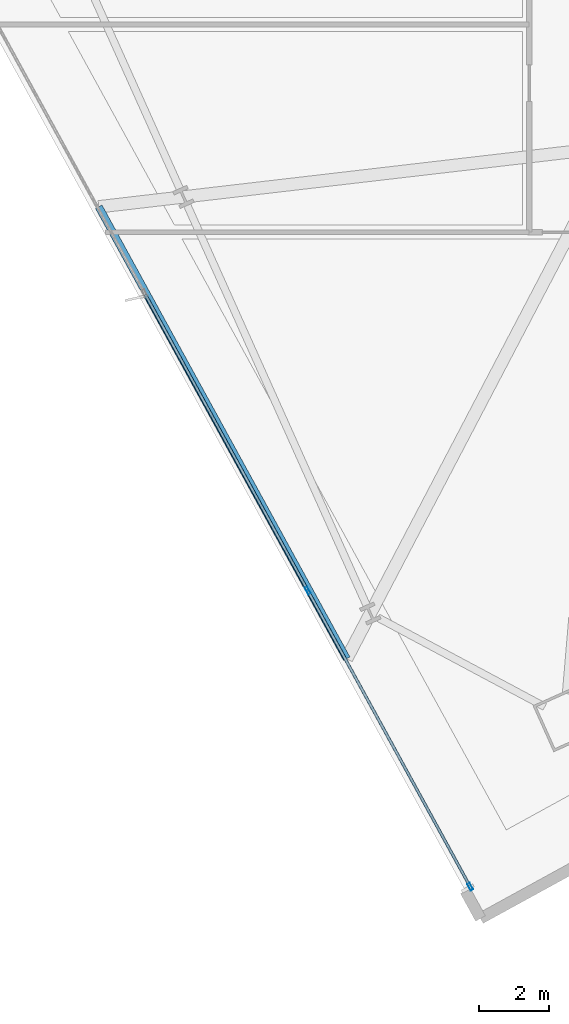
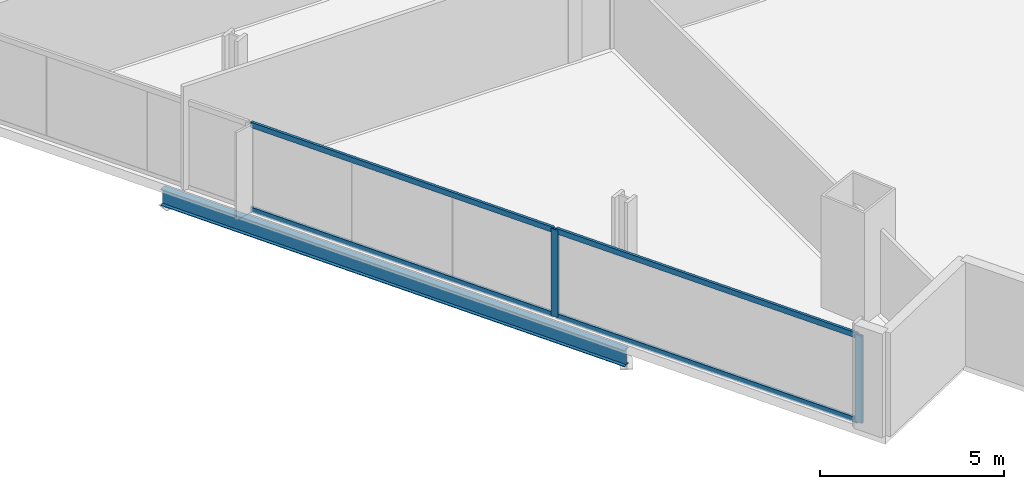
# One storey, part 2 of 33: 6 members, 1 beam, 1 element without a shape of its own.
"""IFC4 building model written with IfcOpenShell, lengths in metres."""

from ifc_helpers import new_model, si_unit, direction, frame, origin, origin_2d, place, context, subcontext, project, spatial, hollow_rectangle, i_section, extrude, material, material_profile, profile_set, type_object, element, aggregate, save


model = new_model("IFC4")

# Units and contexts
model_context = context("Model", 3, precision=1e-05, world=origin(), true_north=direction((0.0, 1.0)))
body_context = subcontext(model_context, "Body", "Model", "MODEL_VIEW")
ifc_project = project(units=[si_unit("LENGTHUNIT", "METRE"), si_unit("AREAUNIT", "SQUARE_METRE"), si_unit("VOLUMEUNIT", "CUBIC_METRE"), si_unit("PLANEANGLEUNIT", "RADIAN"), si_unit("MASSUNIT", "GRAM", prefix="KILO")], contexts=[model_context])

# Site, building, storey
site_placement = place(None, origin())
site = spatial("IfcSite", under=ifc_project, at=site_placement, CompositionType="ELEMENT")
building_placement = place(site_placement, origin())
building = spatial("IfcBuilding", under=site, at=building_placement, Name="Haldenkirk Collegiate Tower", CompositionType="ELEMENT")
storey_placement = place(building_placement, frame((0.0, 0.0, 124.199951171875)))
storey = spatial("IfcBuildingStorey", under=building, at=storey_placement, Name="L30", CompositionType="ELEMENT", Elevation=124.199951171875)

# Beam
ifc_material_1 = material(Name="Steel ASTM A992 Grade 50", Category="steel")
ifc_material_profile_1 = material_profile(ifc_material_1, i_section(OverallWidth=0.2119140625, OverallDepth=0.5439453125, WebThickness=0.01318359375, FlangeThickness=0.021240234375, at=origin_2d()), Name="W21X83")
ifc_profile_set_1 = profile_set([ifc_material_profile_1], Name="Steel ASTM A992 Grade 50")
beam_type = type_object("IfcBeamType", Name="BM-SPANDREL-W21X83", PredefinedType="SPANDREL", material=ifc_profile_set_1)
beam_placement = place(storey_placement, frame((12.214111328125, 16.278076171875, -0.572021484375), z_axis=(0.480969921397, -0.876737095549, 0.0), x_axis=(0.876737095549, 0.480969921397, 0.0)))
element("IfcBeam", 1, at=beam_placement, inside=storey, type_object=beam_type, Name="L30 outer facade edge beam 4", PredefinedType="SPANDREL", context=body_context, shape_type="SweptSolid", body=[
    extrude(i_section(OverallWidth=0.2119140625, OverallDepth=0.5439453125, WebThickness=0.01318359375, FlangeThickness=0.021240234375, at=origin_2d()), origin(), (0.0, 0.0, 1.0), 14.771240234375),
])

# Curtain wall, members
ifc_material_2 = material(Name="Anodised architectural bronze aluminium", Category="aluminium")
curtain_wall_type = type_object("IfcCurtainWallType", Name="CW-SYS1-CONVEX-LOW", PredefinedType="USERDEFINED", material=ifc_material_2)
curtain_wall_placement = place(storey_placement, origin())
curtain_wall = element("IfcCurtainWall", 2, at=curtain_wall_placement, inside=storey, type_object=curtain_wall_type, Name="L30 Lower tower convex bronze-framed unitised curtain wall", ObjectType="UNITISED CURTAIN WALL", PredefinedType="USERDEFINED")
ifc_material_profile_2 = material_profile(ifc_material_2, hollow_rectangle(XDim=0.080078125, YDim=0.219970703125, WallThickness=0.0048828125, at=origin_2d()), Name="CW-MUL-1A")
ifc_profile_set_2 = profile_set([ifc_material_profile_2], Name="Anodised architectural bronze aluminium")
member_type_1 = type_object("IfcMemberType", Name="CW-MUL-1A", PredefinedType="MULLION", material=ifc_profile_set_2)
member_1_placement = place(storey_placement, frame((22.85791015625, -3.20654296875, 0.0), z_axis=(0.0, 0.0, 1.0), x_axis=(-0.876726858964, -0.480988580708, 0.0)))
member_1 = element("IfcMember", 3, at=member_1_placement, type_object=member_type_1, Name="CW-1A mullion 1", PredefinedType="MULLION", context=body_context, shape_type="SweptSolid", body=[
    extrude(hollow_rectangle(XDim=0.080078125, YDim=0.219970703125, WallThickness=0.0048828125, at=origin_2d()), origin(), (0.0, 0.0, 1.0), 2.901123046875),
])
member_2_placement = place(storey_placement, frame((18.20263671875, 5.279052734375, 0.0), z_axis=(0.0, 0.0, 1.0), x_axis=(-0.876726858964, -0.480988580708, 0.0)))
member_2 = element("IfcMember", 4, at=member_2_placement, type_object=member_type_1, Name="CW-1A mullion 2", PredefinedType="MULLION", context=body_context, shape_type="SweptSolid", body=[
    extrude(hollow_rectangle(XDim=0.080078125, YDim=0.219970703125, WallThickness=0.0048828125, at=origin_2d()), origin(), (0.0, 0.0, 1.0), 2.901123046875),
])
ifc_material_profile_3 = material_profile(ifc_material_2, hollow_rectangle(XDim=0.080078125, YDim=0.179931640625, WallThickness=0.0048828125, at=origin_2d()), Name="CW-TRN-1A")
ifc_profile_set_3 = profile_set([ifc_material_profile_3], Name="Anodised architectural bronze aluminium")
member_type_2 = type_object("IfcMemberType", Name="CW-TRN-1A", PredefinedType="USERDEFINED", material=ifc_profile_set_3)
member_3_placement = place(storey_placement, frame((22.838623046875, -3.17138671875, 0.0400390625), z_axis=(-0.480982102917, 0.876730412769, 0.0), x_axis=(-0.876730412769, -0.480982102917, 0.0)))
member_3 = element("IfcMember", 5, at=member_3_placement, type_object=member_type_2, Name="CW-1A transom 1.1", ObjectType="TRANSOM", PredefinedType="USERDEFINED", context=body_context, shape_type="SweptSolid", body=[
    extrude(hollow_rectangle(XDim=0.080078125, YDim=0.179931640625, WallThickness=0.0048828125, at=origin_2d()), origin(), (0.0, 0.0, 1.0), 9.598388671875),
])
member_4_placement = place(storey_placement, frame((22.838623046875, -3.17138671875, 2.861083984375), z_axis=(-0.480982102917, 0.876730412769, 0.0), x_axis=(-0.876730412769, -0.480982102917, 0.0)))
member_4 = element("IfcMember", 6, at=member_4_placement, type_object=member_type_2, Name="CW-1A transom 1.2", ObjectType="TRANSOM", PredefinedType="USERDEFINED", context=body_context, shape_type="SweptSolid", body=[
    extrude(hollow_rectangle(XDim=0.080078125, YDim=0.179931640625, WallThickness=0.0048828125, at=origin_2d()), origin(), (0.0, 0.0, 1.0), 9.598388671875),
])
member_5_placement = place(storey_placement, frame((18.183349609375, 5.314208984375, 0.0400390625), z_axis=(-0.481001578462, 0.87671972803, 0.0), x_axis=(-0.87671972803, -0.481001578462, 0.0)))
member_5 = element("IfcMember", 7, at=member_5_placement, type_object=member_type_2, Name="CW-1A transom 2.1", ObjectType="TRANSOM", PredefinedType="USERDEFINED", context=body_context, shape_type="SweptSolid", body=[
    extrude(hollow_rectangle(XDim=0.080078125, YDim=0.179931640625, WallThickness=0.0048828125, at=origin_2d()), origin(), (0.0, 0.0, 1.0), 9.638671875),
])
member_6_placement = place(storey_placement, frame((18.183349609375, 5.314208984375, 2.861083984375), z_axis=(-0.481001578462, 0.87671972803, 0.0), x_axis=(-0.87671972803, -0.481001578462, 0.0)))
member_6 = element("IfcMember", 8, at=member_6_placement, type_object=member_type_2, Name="CW-1A transom 2.2", ObjectType="TRANSOM", PredefinedType="USERDEFINED", context=body_context, shape_type="SweptSolid", body=[
    extrude(hollow_rectangle(XDim=0.080078125, YDim=0.179931640625, WallThickness=0.0048828125, at=origin_2d()), origin(), (0.0, 0.0, 1.0), 9.638671875),
])
aggregate(curtain_wall, [member_1, member_2, member_3, member_4, member_5, member_6])

save(model, "model.ifc")
